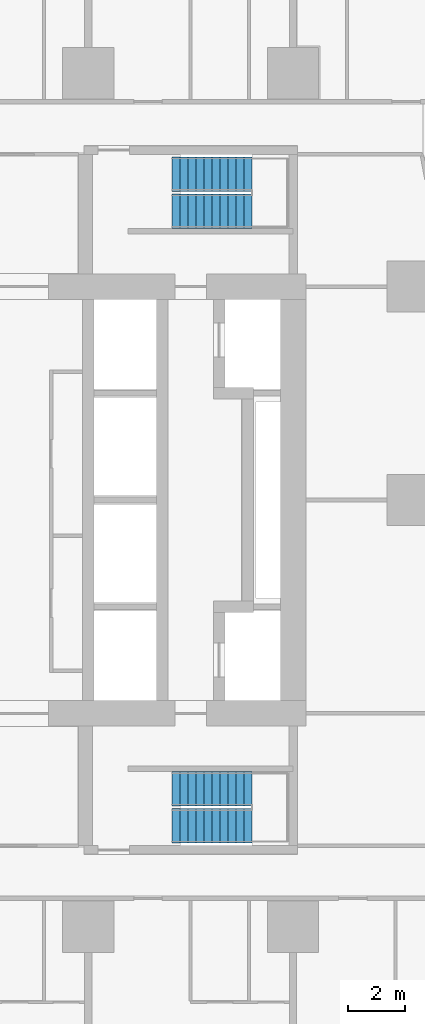
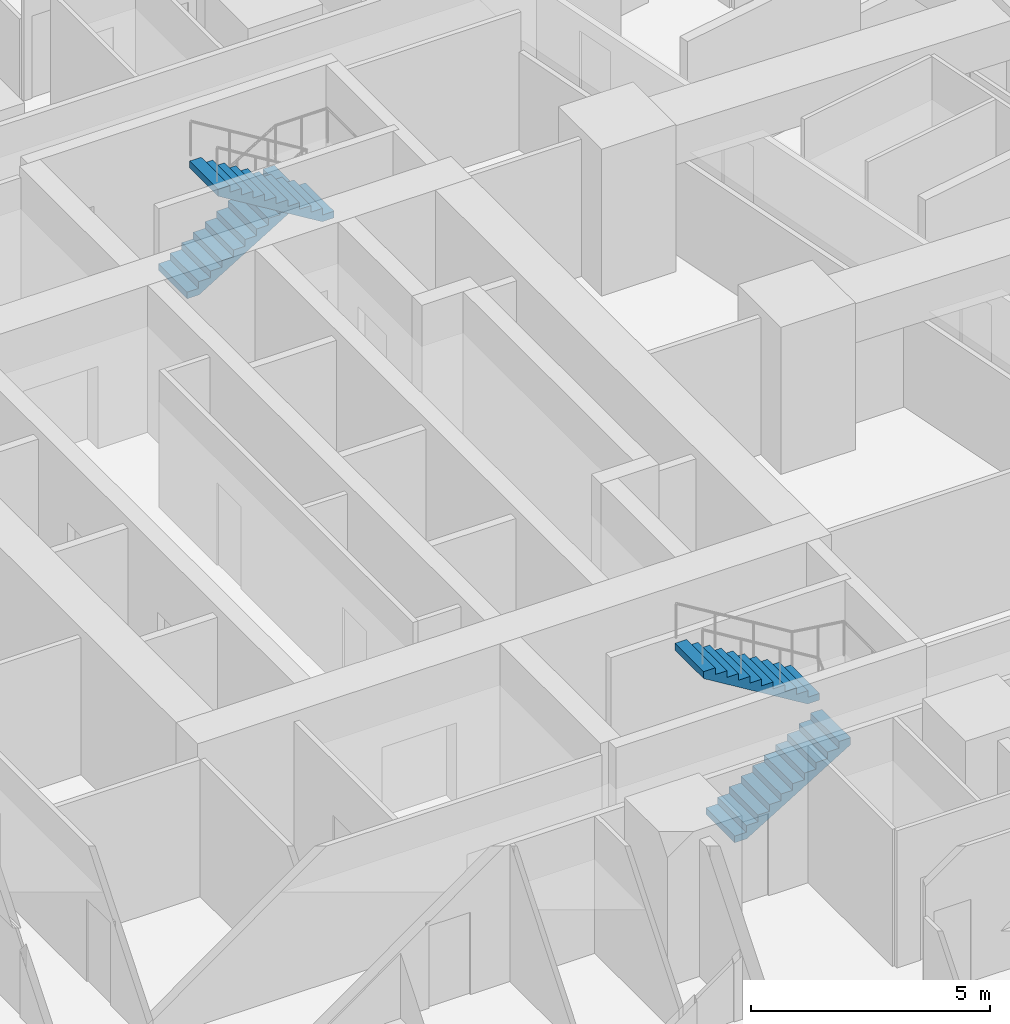
# One storey, part 12 of 15: 4 stair flights, 2 elements without a shape of their own.
"""IFC4 building model written with IfcOpenShell, lengths in metres."""

from ifc_helpers import new_model, si_unit, direction, frame, origin, place, context, subcontext, project, spatial, triangles, material, type_object, element, aggregate, save


model = new_model("IFC4")

# Units and contexts
model_context = context("Model", 3, precision=1e-05, world=origin(), true_north=direction((0.0, 1.0)))
body_context = subcontext(model_context, "Body", "Model", "MODEL_VIEW")
ifc_project = project(units=[si_unit("LENGTHUNIT", "METRE"), si_unit("AREAUNIT", "SQUARE_METRE"), si_unit("VOLUMEUNIT", "CUBIC_METRE"), si_unit("PLANEANGLEUNIT", "RADIAN"), si_unit("MASSUNIT", "GRAM", prefix="KILO")], contexts=[model_context])

# Site, building, storey
site_placement = place(None, origin())
site = spatial("IfcSite", under=ifc_project, at=site_placement, CompositionType="ELEMENT")
building_placement = place(site_placement, origin())
building = spatial("IfcBuilding", under=site, at=building_placement, Name="Sheger Commons Tower", CompositionType="ELEMENT")
storey_placement = place(building_placement, frame((0.0, 0.0, 46.25)))
storey = spatial("IfcBuildingStorey", under=building, at=storey_placement, Name="L11", CompositionType="ELEMENT", Elevation=46.25)

# Stair, stair flights
ifc_material_1 = material(Name="Concrete C35/45", Category="concrete")
stair_type = type_object("IfcStairType", Name="HALF-TURN STAIR 1200 RISE 3750", PredefinedType="HALF_TURN_STAIR", material=ifc_material_1)
stair_1_placement = place(storey_placement, origin())
stair_1 = element("IfcStair", 1, at=stair_1_placement, inside=storey, type_object=stair_type, Name="Stair S1 L11", PredefinedType="HALF_TURN_STAIR")
ifc_material_2 = material(Name="Concrete C35/45", Category="concrete")
stair_flight_type = type_object("IfcStairFlightType", Name="STAIR FLIGHT 1200 11 RISERS OF 170", PredefinedType="STRAIGHT", material=ifc_material_2)
stair_flight_1_placement = place(storey_placement, frame((24.550048828125, 11.050048828125, 0.0), z_axis=(0.0, 0.0, 1.0), x_axis=(1.0, 0.0, 0.0)))
stair_flight_1 = element("IfcStairFlight", 2, at=stair_flight_1_placement, type_object=stair_flight_type, Name="S1 flight 1", NumberOfRisers=11, NumberOfTreads=10, PredefinedType="STRAIGHT", RiserHeight=0.170454545, TreadLength=0.28, context=body_context, shape_type="Tessellation", body=[
    triangles([(0.0, 0.5999755859375, 0.0), (0.0, 0.5999755859375, 0.17041015625), (0.280029296875, 0.5999755859375, 0.17041015625), (0.280029296875, 0.5999755859375, 0.3408203125), (0.56005859375, 0.5999755859375, 0.3408203125), (0.56005859375, 0.5999755859375, 0.511474609375), (0.840087890625, 0.5999755859375, 0.511474609375), (0.840087890625, 0.5999755859375, 0.681884765625), (1.1201171875, 0.5999755859375, 0.681884765625), (1.1201171875, 0.5999755859375, 0.852294921875), (1.39990234375, 0.5999755859375, 0.852294921875), (1.39990234375, 0.5999755859375, 1.022705078125), (1.679931640625, 0.5999755859375, 1.022705078125), (1.679931640625, 0.5999755859375, 1.193115234375), (1.9599609375, 0.5999755859375, 1.193115234375), (1.9599609375, 0.5999755859375, 1.363525390625), (2.239990234375, 0.5999755859375, 1.363525390625), (2.239990234375, 0.5999755859375, 1.5341796875), (2.52001953125, 0.5999755859375, 1.5341796875), (2.52001953125, 0.5999755859375, 1.70458984375), (2.800048828125, 0.5999755859375, 1.70458984375), (2.800048828125, 0.5999755859375, 1.529052734375), (0.288330078125, 0.5999755859375, 0.0), (0.0, -0.5999755859375, 0.0), (0.0, -0.5999755859375, 0.17041015625), (0.280029296875, -0.5999755859375, 0.17041015625), (0.280029296875, -0.5999755859375, 0.3408203125), (0.56005859375, -0.5999755859375, 0.3408203125), (0.56005859375, -0.5999755859375, 0.511474609375), (0.840087890625, -0.5999755859375, 0.511474609375), (0.840087890625, -0.5999755859375, 0.681884765625), (1.1201171875, -0.5999755859375, 0.681884765625), (1.1201171875, -0.5999755859375, 0.852294921875), (1.39990234375, -0.5999755859375, 0.852294921875), (1.39990234375, -0.5999755859375, 1.022705078125), (1.679931640625, -0.5999755859375, 1.022705078125), (1.679931640625, -0.5999755859375, 1.193115234375), (1.9599609375, -0.5999755859375, 1.193115234375), (1.9599609375, -0.5999755859375, 1.363525390625), (2.239990234375, -0.5999755859375, 1.363525390625), (2.239990234375, -0.5999755859375, 1.5341796875), (2.52001953125, -0.5999755859375, 1.5341796875), (2.52001953125, -0.5999755859375, 1.70458984375), (2.800048828125, -0.5999755859375, 1.70458984375), (2.800048828125, -0.5999755859375, 1.529052734375), (0.288330078125, -0.5999755859375, 0.0), (0.0, 0.0, 0.085205078125), (0.1400146484375, 0.0, 0.17041015625), (0.280029296875, 0.0, 0.255615234375), (0.4200439453125, 0.0, 0.3408203125), (0.56005859375, 0.0, 0.4261474609375), (0.7000732421875, 0.0, 0.511474609375), (0.840087890625, 0.0, 0.5966796875), (0.9801025390625, 0.0, 0.681884765625), (1.1201171875, 0.0, 0.76708984375), (1.260009765625, 0.0, 0.852294921875), (1.39990234375, 0.0, 0.9375), (1.5399169921875, 0.0, 1.022705078125), (1.679931640625, 0.0, 1.10791015625), (1.8199462890625, 0.0, 1.193115234375), (1.9599609375, 0.0, 1.2783203125), (2.0999755859375, 0.0, 1.363525390625), (2.239990234375, 0.0, 1.4488525390625), (2.3800048828125, 0.0, 1.5341796875), (2.52001953125, 0.0, 1.619384765625), (2.6600341796875, 0.0, 1.70458984375), (2.800048828125, 0.0, 1.6168212890625), (1.544189453125, 0.0, 0.7645263671875), (0.1441650390625, 0.0, 0.0)], [[1, 22, 23], [24, 46, 45], [22, 20, 21], [45, 44, 43], [22, 19, 20], [45, 43, 42], [22, 18, 19], [45, 42, 41], [22, 17, 18], [45, 41, 40], [17, 15, 16], [40, 39, 38], [22, 15, 17], [45, 40, 38], [15, 13, 14], [38, 37, 36], [22, 13, 15], [45, 38, 36], [13, 11, 12], [36, 35, 34], [22, 11, 13], [45, 36, 34], [11, 9, 10], [34, 33, 32], [22, 9, 11], [45, 34, 32], [9, 7, 8], [32, 31, 30], [22, 7, 9], [45, 32, 30], [7, 5, 6], [30, 29, 28], [22, 5, 7], [45, 30, 28], [5, 3, 4], [28, 27, 26], [22, 3, 5], [45, 28, 26], [1, 3, 22], [24, 45, 26], [3, 1, 2], [26, 25, 24], [1, 47, 2], [2, 47, 25], [25, 47, 24], [24, 47, 1], [2, 48, 3], [3, 48, 26], [26, 48, 25], [25, 48, 2], [3, 49, 4], [4, 49, 27], [27, 49, 26], [26, 49, 3], [4, 50, 5], [5, 50, 28], [28, 50, 27], [27, 50, 4], [5, 51, 6], [6, 51, 29], [29, 51, 28], [28, 51, 5], [6, 52, 7], [7, 52, 30], [30, 52, 29], [29, 52, 6], [7, 53, 8], [8, 53, 31], [31, 53, 30], [30, 53, 7], [8, 54, 9], [9, 54, 32], [32, 54, 31], [31, 54, 8], [9, 55, 10], [10, 55, 33], [33, 55, 32], [32, 55, 9], [10, 56, 11], [11, 56, 34], [34, 56, 33], [33, 56, 10], [11, 57, 12], [12, 57, 35], [35, 57, 34], [34, 57, 11], [12, 58, 13], [13, 58, 36], [36, 58, 35], [35, 58, 12], [13, 59, 14], [14, 59, 37], [37, 59, 36], [36, 59, 13], [14, 60, 15], [15, 60, 38], [38, 60, 37], [37, 60, 14], [15, 61, 16], [16, 61, 39], [39, 61, 38], [38, 61, 15], [16, 62, 17], [17, 62, 40], [40, 62, 39], [39, 62, 16], [17, 63, 18], [18, 63, 41], [41, 63, 40], [40, 63, 17], [18, 64, 19], [19, 64, 42], [42, 64, 41], [41, 64, 18], [19, 65, 20], [20, 65, 43], [43, 65, 42], [42, 65, 19], [20, 66, 21], [21, 66, 44], [44, 66, 43], [43, 66, 20], [21, 67, 22], [22, 67, 45], [45, 67, 44], [44, 67, 21], [22, 68, 23], [23, 68, 46], [46, 68, 45], [45, 68, 22], [23, 69, 1], [1, 69, 24], [24, 69, 46], [46, 69, 23]], closed=True),
])
stair_flight_2_placement = place(storey_placement, frame((27.35009765625, 12.35009765625, 1.875), z_axis=(0.0, 0.0, 1.0), x_axis=(-1.0, 0.0, 0.0)))
stair_flight_2 = element("IfcStairFlight", 3, at=stair_flight_2_placement, type_object=stair_flight_type, Name="S1 flight 2", NumberOfRisers=11, NumberOfTreads=10, PredefinedType="STRAIGHT", RiserHeight=0.170454545, TreadLength=0.28, context=body_context, shape_type="Tessellation", body=[
    triangles([(0.0, 0.5999755859375, 0.0), (0.0, 0.5999755859375, 0.17041015625), (0.280029296875, 0.5999755859375, 0.17041015625), (0.280029296875, 0.5999755859375, 0.3408203125), (0.56005859375, 0.5999755859375, 0.3408203125), (0.56005859375, 0.5999755859375, 0.511474609375), (0.840087890625, 0.5999755859375, 0.511474609375), (0.840087890625, 0.5999755859375, 0.681884765625), (1.1201171875, 0.5999755859375, 0.681884765625), (1.1201171875, 0.5999755859375, 0.852294921875), (1.39990234375, 0.5999755859375, 0.852294921875), (1.39990234375, 0.5999755859375, 1.022705078125), (1.679931640625, 0.5999755859375, 1.022705078125), (1.679931640625, 0.5999755859375, 1.193115234375), (1.9599609375, 0.5999755859375, 1.193115234375), (1.9599609375, 0.5999755859375, 1.363525390625), (2.239990234375, 0.5999755859375, 1.363525390625), (2.239990234375, 0.5999755859375, 1.5341796875), (2.52001953125, 0.5999755859375, 1.5341796875), (2.52001953125, 0.5999755859375, 1.70458984375), (2.800048828125, 0.5999755859375, 1.70458984375), (2.800048828125, 0.5999755859375, 1.529052734375), (0.288330078125, 0.5999755859375, 0.0), (0.0, -0.5999755859375, 0.0), (0.0, -0.5999755859375, 0.17041015625), (0.280029296875, -0.5999755859375, 0.17041015625), (0.280029296875, -0.5999755859375, 0.3408203125), (0.56005859375, -0.5999755859375, 0.3408203125), (0.56005859375, -0.5999755859375, 0.511474609375), (0.840087890625, -0.5999755859375, 0.511474609375), (0.840087890625, -0.5999755859375, 0.681884765625), (1.1201171875, -0.5999755859375, 0.681884765625), (1.1201171875, -0.5999755859375, 0.852294921875), (1.39990234375, -0.5999755859375, 0.852294921875), (1.39990234375, -0.5999755859375, 1.022705078125), (1.679931640625, -0.5999755859375, 1.022705078125), (1.679931640625, -0.5999755859375, 1.193115234375), (1.9599609375, -0.5999755859375, 1.193115234375), (1.9599609375, -0.5999755859375, 1.363525390625), (2.239990234375, -0.5999755859375, 1.363525390625), (2.239990234375, -0.5999755859375, 1.5341796875), (2.52001953125, -0.5999755859375, 1.5341796875), (2.52001953125, -0.5999755859375, 1.70458984375), (2.800048828125, -0.5999755859375, 1.70458984375), (2.800048828125, -0.5999755859375, 1.529052734375), (0.288330078125, -0.5999755859375, 0.0), (0.0, 0.0, 0.085205078125), (0.1400146484375, 0.0, 0.17041015625), (0.280029296875, 0.0, 0.255615234375), (0.4200439453125, 0.0, 0.3408203125), (0.56005859375, 0.0, 0.4261474609375), (0.7000732421875, 0.0, 0.511474609375), (0.840087890625, 0.0, 0.5966796875), (0.9801025390625, 0.0, 0.681884765625), (1.1201171875, 0.0, 0.76708984375), (1.260009765625, 0.0, 0.852294921875), (1.39990234375, 0.0, 0.9375), (1.5399169921875, 0.0, 1.022705078125), (1.679931640625, 0.0, 1.10791015625), (1.8199462890625, 0.0, 1.193115234375), (1.9599609375, 0.0, 1.2783203125), (2.0999755859375, 0.0, 1.363525390625), (2.239990234375, 0.0, 1.4488525390625), (2.3800048828125, 0.0, 1.5341796875), (2.52001953125, 0.0, 1.619384765625), (2.6600341796875, 0.0, 1.70458984375), (2.800048828125, 0.0, 1.6168212890625), (1.544189453125, 0.0, 0.7645263671875), (0.1441650390625, 0.0, 0.0)], [[1, 22, 23], [24, 46, 45], [22, 20, 21], [45, 44, 43], [22, 19, 20], [45, 43, 42], [22, 18, 19], [45, 42, 41], [22, 17, 18], [45, 41, 40], [17, 15, 16], [40, 39, 38], [22, 15, 17], [45, 40, 38], [15, 13, 14], [38, 37, 36], [22, 13, 15], [45, 38, 36], [13, 11, 12], [36, 35, 34], [22, 11, 13], [45, 36, 34], [11, 9, 10], [34, 33, 32], [22, 9, 11], [45, 34, 32], [9, 7, 8], [32, 31, 30], [22, 7, 9], [45, 32, 30], [7, 5, 6], [30, 29, 28], [22, 5, 7], [45, 30, 28], [5, 3, 4], [28, 27, 26], [22, 3, 5], [45, 28, 26], [1, 3, 22], [24, 45, 26], [3, 1, 2], [26, 25, 24], [1, 47, 2], [2, 47, 25], [25, 47, 24], [24, 47, 1], [2, 48, 3], [3, 48, 26], [26, 48, 25], [25, 48, 2], [3, 49, 4], [4, 49, 27], [27, 49, 26], [26, 49, 3], [4, 50, 5], [5, 50, 28], [28, 50, 27], [27, 50, 4], [5, 51, 6], [6, 51, 29], [29, 51, 28], [28, 51, 5], [6, 52, 7], [7, 52, 30], [30, 52, 29], [29, 52, 6], [7, 53, 8], [8, 53, 31], [31, 53, 30], [30, 53, 7], [8, 54, 9], [9, 54, 32], [32, 54, 31], [31, 54, 8], [9, 55, 10], [10, 55, 33], [33, 55, 32], [32, 55, 9], [10, 56, 11], [11, 56, 34], [34, 56, 33], [33, 56, 10], [11, 57, 12], [12, 57, 35], [35, 57, 34], [34, 57, 11], [12, 58, 13], [13, 58, 36], [36, 58, 35], [35, 58, 12], [13, 59, 14], [14, 59, 37], [37, 59, 36], [36, 59, 13], [14, 60, 15], [15, 60, 38], [38, 60, 37], [37, 60, 14], [15, 61, 16], [16, 61, 39], [39, 61, 38], [38, 61, 15], [16, 62, 17], [17, 62, 40], [40, 62, 39], [39, 62, 16], [17, 63, 18], [18, 63, 41], [41, 63, 40], [40, 63, 17], [18, 64, 19], [19, 64, 42], [42, 64, 41], [41, 64, 18], [19, 65, 20], [20, 65, 43], [43, 65, 42], [42, 65, 19], [20, 66, 21], [21, 66, 44], [44, 66, 43], [43, 66, 20], [21, 67, 22], [22, 67, 45], [45, 67, 44], [44, 67, 21], [22, 68, 23], [23, 68, 46], [46, 68, 45], [45, 68, 22], [23, 69, 1], [1, 69, 24], [24, 69, 46], [46, 69, 23]], closed=True),
])
aggregate(stair_1, [stair_flight_1, stair_flight_2])

stair_2_placement = place(storey_placement, origin())
stair_2 = element("IfcStair", 4, at=stair_2_placement, inside=storey, type_object=stair_type, Name="Stair S2 L11", PredefinedType="HALF_TURN_STAIR")
stair_flight_3_placement = place(storey_placement, frame((24.550048828125, 33.949951171875, 0.0), z_axis=(0.0, 0.0, 1.0), x_axis=(1.0, 0.0, 0.0)))
stair_flight_3 = element("IfcStairFlight", 5, at=stair_flight_3_placement, type_object=stair_flight_type, Name="S2 flight 1", NumberOfRisers=11, NumberOfTreads=10, PredefinedType="STRAIGHT", RiserHeight=0.170454545, TreadLength=0.28, context=body_context, shape_type="Tessellation", body=[
    triangles([(0.0, 0.5999755859375, 0.0), (0.0, 0.5999755859375, 0.17041015625), (0.280029296875, 0.5999755859375, 0.17041015625), (0.280029296875, 0.5999755859375, 0.3408203125), (0.56005859375, 0.5999755859375, 0.3408203125), (0.56005859375, 0.5999755859375, 0.511474609375), (0.840087890625, 0.5999755859375, 0.511474609375), (0.840087890625, 0.5999755859375, 0.681884765625), (1.1201171875, 0.5999755859375, 0.681884765625), (1.1201171875, 0.5999755859375, 0.852294921875), (1.39990234375, 0.5999755859375, 0.852294921875), (1.39990234375, 0.5999755859375, 1.022705078125), (1.679931640625, 0.5999755859375, 1.022705078125), (1.679931640625, 0.5999755859375, 1.193115234375), (1.9599609375, 0.5999755859375, 1.193115234375), (1.9599609375, 0.5999755859375, 1.363525390625), (2.239990234375, 0.5999755859375, 1.363525390625), (2.239990234375, 0.5999755859375, 1.5341796875), (2.52001953125, 0.5999755859375, 1.5341796875), (2.52001953125, 0.5999755859375, 1.70458984375), (2.800048828125, 0.5999755859375, 1.70458984375), (2.800048828125, 0.5999755859375, 1.529052734375), (0.288330078125, 0.5999755859375, 0.0), (0.0, -0.5999755859375, 0.0), (0.0, -0.5999755859375, 0.17041015625), (0.280029296875, -0.5999755859375, 0.17041015625), (0.280029296875, -0.5999755859375, 0.3408203125), (0.56005859375, -0.5999755859375, 0.3408203125), (0.56005859375, -0.5999755859375, 0.511474609375), (0.840087890625, -0.5999755859375, 0.511474609375), (0.840087890625, -0.5999755859375, 0.681884765625), (1.1201171875, -0.5999755859375, 0.681884765625), (1.1201171875, -0.5999755859375, 0.852294921875), (1.39990234375, -0.5999755859375, 0.852294921875), (1.39990234375, -0.5999755859375, 1.022705078125), (1.679931640625, -0.5999755859375, 1.022705078125), (1.679931640625, -0.5999755859375, 1.193115234375), (1.9599609375, -0.5999755859375, 1.193115234375), (1.9599609375, -0.5999755859375, 1.363525390625), (2.239990234375, -0.5999755859375, 1.363525390625), (2.239990234375, -0.5999755859375, 1.5341796875), (2.52001953125, -0.5999755859375, 1.5341796875), (2.52001953125, -0.5999755859375, 1.70458984375), (2.800048828125, -0.5999755859375, 1.70458984375), (2.800048828125, -0.5999755859375, 1.529052734375), (0.288330078125, -0.5999755859375, 0.0), (0.0, 0.0, 0.085205078125), (0.1400146484375, 0.0, 0.17041015625), (0.280029296875, 0.0, 0.255615234375), (0.4200439453125, 0.0, 0.3408203125), (0.56005859375, 0.0, 0.4261474609375), (0.7000732421875, 0.0, 0.511474609375), (0.840087890625, 0.0, 0.5966796875), (0.9801025390625, 0.0, 0.681884765625), (1.1201171875, 0.0, 0.76708984375), (1.260009765625, 0.0, 0.852294921875), (1.39990234375, 0.0, 0.9375), (1.5399169921875, 0.0, 1.022705078125), (1.679931640625, 0.0, 1.10791015625), (1.8199462890625, 0.0, 1.193115234375), (1.9599609375, 0.0, 1.2783203125), (2.0999755859375, 0.0, 1.363525390625), (2.239990234375, 0.0, 1.4488525390625), (2.3800048828125, 0.0, 1.5341796875), (2.52001953125, 0.0, 1.619384765625), (2.6600341796875, 0.0, 1.70458984375), (2.800048828125, 0.0, 1.6168212890625), (1.544189453125, 0.0, 0.7645263671875), (0.1441650390625, 0.0, 0.0)], [[1, 22, 23], [24, 46, 45], [22, 20, 21], [45, 44, 43], [22, 19, 20], [45, 43, 42], [22, 18, 19], [45, 42, 41], [22, 17, 18], [45, 41, 40], [17, 15, 16], [40, 39, 38], [22, 15, 17], [45, 40, 38], [15, 13, 14], [38, 37, 36], [22, 13, 15], [45, 38, 36], [13, 11, 12], [36, 35, 34], [22, 11, 13], [45, 36, 34], [11, 9, 10], [34, 33, 32], [22, 9, 11], [45, 34, 32], [9, 7, 8], [32, 31, 30], [22, 7, 9], [45, 32, 30], [7, 5, 6], [30, 29, 28], [22, 5, 7], [45, 30, 28], [5, 3, 4], [28, 27, 26], [22, 3, 5], [45, 28, 26], [1, 3, 22], [24, 45, 26], [3, 1, 2], [26, 25, 24], [1, 47, 2], [2, 47, 25], [25, 47, 24], [24, 47, 1], [2, 48, 3], [3, 48, 26], [26, 48, 25], [25, 48, 2], [3, 49, 4], [4, 49, 27], [27, 49, 26], [26, 49, 3], [4, 50, 5], [5, 50, 28], [28, 50, 27], [27, 50, 4], [5, 51, 6], [6, 51, 29], [29, 51, 28], [28, 51, 5], [6, 52, 7], [7, 52, 30], [30, 52, 29], [29, 52, 6], [7, 53, 8], [8, 53, 31], [31, 53, 30], [30, 53, 7], [8, 54, 9], [9, 54, 32], [32, 54, 31], [31, 54, 8], [9, 55, 10], [10, 55, 33], [33, 55, 32], [32, 55, 9], [10, 56, 11], [11, 56, 34], [34, 56, 33], [33, 56, 10], [11, 57, 12], [12, 57, 35], [35, 57, 34], [34, 57, 11], [12, 58, 13], [13, 58, 36], [36, 58, 35], [35, 58, 12], [13, 59, 14], [14, 59, 37], [37, 59, 36], [36, 59, 13], [14, 60, 15], [15, 60, 38], [38, 60, 37], [37, 60, 14], [15, 61, 16], [16, 61, 39], [39, 61, 38], [38, 61, 15], [16, 62, 17], [17, 62, 40], [40, 62, 39], [39, 62, 16], [17, 63, 18], [18, 63, 41], [41, 63, 40], [40, 63, 17], [18, 64, 19], [19, 64, 42], [42, 64, 41], [41, 64, 18], [19, 65, 20], [20, 65, 43], [43, 65, 42], [42, 65, 19], [20, 66, 21], [21, 66, 44], [44, 66, 43], [43, 66, 20], [21, 67, 22], [22, 67, 45], [45, 67, 44], [44, 67, 21], [22, 68, 23], [23, 68, 46], [46, 68, 45], [45, 68, 22], [23, 69, 1], [1, 69, 24], [24, 69, 46], [46, 69, 23]], closed=True),
])
stair_flight_4_placement = place(storey_placement, frame((27.35009765625, 32.64990234375, 1.875), z_axis=(0.0, 0.0, 1.0), x_axis=(-1.0, 0.0, 0.0)))
stair_flight_4 = element("IfcStairFlight", 6, at=stair_flight_4_placement, type_object=stair_flight_type, Name="S2 flight 2", NumberOfRisers=11, NumberOfTreads=10, PredefinedType="STRAIGHT", RiserHeight=0.170454545, TreadLength=0.28, context=body_context, shape_type="Tessellation", body=[
    triangles([(0.0, 0.5999755859375, 0.0), (0.0, 0.5999755859375, 0.17041015625), (0.280029296875, 0.5999755859375, 0.17041015625), (0.280029296875, 0.5999755859375, 0.3408203125), (0.56005859375, 0.5999755859375, 0.3408203125), (0.56005859375, 0.5999755859375, 0.511474609375), (0.840087890625, 0.5999755859375, 0.511474609375), (0.840087890625, 0.5999755859375, 0.681884765625), (1.1201171875, 0.5999755859375, 0.681884765625), (1.1201171875, 0.5999755859375, 0.852294921875), (1.39990234375, 0.5999755859375, 0.852294921875), (1.39990234375, 0.5999755859375, 1.022705078125), (1.679931640625, 0.5999755859375, 1.022705078125), (1.679931640625, 0.5999755859375, 1.193115234375), (1.9599609375, 0.5999755859375, 1.193115234375), (1.9599609375, 0.5999755859375, 1.363525390625), (2.239990234375, 0.5999755859375, 1.363525390625), (2.239990234375, 0.5999755859375, 1.5341796875), (2.52001953125, 0.5999755859375, 1.5341796875), (2.52001953125, 0.5999755859375, 1.70458984375), (2.800048828125, 0.5999755859375, 1.70458984375), (2.800048828125, 0.5999755859375, 1.529052734375), (0.288330078125, 0.5999755859375, 0.0), (0.0, -0.5999755859375, 0.0), (0.0, -0.5999755859375, 0.17041015625), (0.280029296875, -0.5999755859375, 0.17041015625), (0.280029296875, -0.5999755859375, 0.3408203125), (0.56005859375, -0.5999755859375, 0.3408203125), (0.56005859375, -0.5999755859375, 0.511474609375), (0.840087890625, -0.5999755859375, 0.511474609375), (0.840087890625, -0.5999755859375, 0.681884765625), (1.1201171875, -0.5999755859375, 0.681884765625), (1.1201171875, -0.5999755859375, 0.852294921875), (1.39990234375, -0.5999755859375, 0.852294921875), (1.39990234375, -0.5999755859375, 1.022705078125), (1.679931640625, -0.5999755859375, 1.022705078125), (1.679931640625, -0.5999755859375, 1.193115234375), (1.9599609375, -0.5999755859375, 1.193115234375), (1.9599609375, -0.5999755859375, 1.363525390625), (2.239990234375, -0.5999755859375, 1.363525390625), (2.239990234375, -0.5999755859375, 1.5341796875), (2.52001953125, -0.5999755859375, 1.5341796875), (2.52001953125, -0.5999755859375, 1.70458984375), (2.800048828125, -0.5999755859375, 1.70458984375), (2.800048828125, -0.5999755859375, 1.529052734375), (0.288330078125, -0.5999755859375, 0.0), (0.0, 0.0, 0.085205078125), (0.1400146484375, 0.0, 0.17041015625), (0.280029296875, 0.0, 0.255615234375), (0.4200439453125, 0.0, 0.3408203125), (0.56005859375, 0.0, 0.4261474609375), (0.7000732421875, 0.0, 0.511474609375), (0.840087890625, 0.0, 0.5966796875), (0.9801025390625, 0.0, 0.681884765625), (1.1201171875, 0.0, 0.76708984375), (1.260009765625, 0.0, 0.852294921875), (1.39990234375, 0.0, 0.9375), (1.5399169921875, 0.0, 1.022705078125), (1.679931640625, 0.0, 1.10791015625), (1.8199462890625, 0.0, 1.193115234375), (1.9599609375, 0.0, 1.2783203125), (2.0999755859375, 0.0, 1.363525390625), (2.239990234375, 0.0, 1.4488525390625), (2.3800048828125, 0.0, 1.5341796875), (2.52001953125, 0.0, 1.619384765625), (2.6600341796875, 0.0, 1.70458984375), (2.800048828125, 0.0, 1.6168212890625), (1.544189453125, 0.0, 0.7645263671875), (0.1441650390625, 0.0, 0.0)], [[1, 22, 23], [24, 46, 45], [22, 20, 21], [45, 44, 43], [22, 19, 20], [45, 43, 42], [22, 18, 19], [45, 42, 41], [22, 17, 18], [45, 41, 40], [17, 15, 16], [40, 39, 38], [22, 15, 17], [45, 40, 38], [15, 13, 14], [38, 37, 36], [22, 13, 15], [45, 38, 36], [13, 11, 12], [36, 35, 34], [22, 11, 13], [45, 36, 34], [11, 9, 10], [34, 33, 32], [22, 9, 11], [45, 34, 32], [9, 7, 8], [32, 31, 30], [22, 7, 9], [45, 32, 30], [7, 5, 6], [30, 29, 28], [22, 5, 7], [45, 30, 28], [5, 3, 4], [28, 27, 26], [22, 3, 5], [45, 28, 26], [1, 3, 22], [24, 45, 26], [3, 1, 2], [26, 25, 24], [1, 47, 2], [2, 47, 25], [25, 47, 24], [24, 47, 1], [2, 48, 3], [3, 48, 26], [26, 48, 25], [25, 48, 2], [3, 49, 4], [4, 49, 27], [27, 49, 26], [26, 49, 3], [4, 50, 5], [5, 50, 28], [28, 50, 27], [27, 50, 4], [5, 51, 6], [6, 51, 29], [29, 51, 28], [28, 51, 5], [6, 52, 7], [7, 52, 30], [30, 52, 29], [29, 52, 6], [7, 53, 8], [8, 53, 31], [31, 53, 30], [30, 53, 7], [8, 54, 9], [9, 54, 32], [32, 54, 31], [31, 54, 8], [9, 55, 10], [10, 55, 33], [33, 55, 32], [32, 55, 9], [10, 56, 11], [11, 56, 34], [34, 56, 33], [33, 56, 10], [11, 57, 12], [12, 57, 35], [35, 57, 34], [34, 57, 11], [12, 58, 13], [13, 58, 36], [36, 58, 35], [35, 58, 12], [13, 59, 14], [14, 59, 37], [37, 59, 36], [36, 59, 13], [14, 60, 15], [15, 60, 38], [38, 60, 37], [37, 60, 14], [15, 61, 16], [16, 61, 39], [39, 61, 38], [38, 61, 15], [16, 62, 17], [17, 62, 40], [40, 62, 39], [39, 62, 16], [17, 63, 18], [18, 63, 41], [41, 63, 40], [40, 63, 17], [18, 64, 19], [19, 64, 42], [42, 64, 41], [41, 64, 18], [19, 65, 20], [20, 65, 43], [43, 65, 42], [42, 65, 19], [20, 66, 21], [21, 66, 44], [44, 66, 43], [43, 66, 20], [21, 67, 22], [22, 67, 45], [45, 67, 44], [44, 67, 21], [22, 68, 23], [23, 68, 46], [46, 68, 45], [45, 68, 22], [23, 69, 1], [1, 69, 24], [24, 69, 46], [46, 69, 23]], closed=True),
])
aggregate(stair_2, [stair_flight_3, stair_flight_4])

save(model, "model.ifc")
